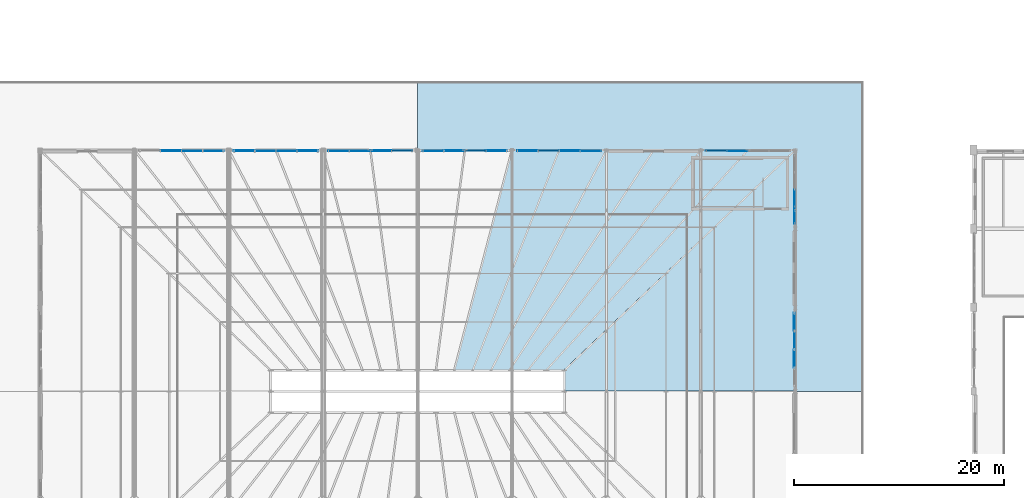
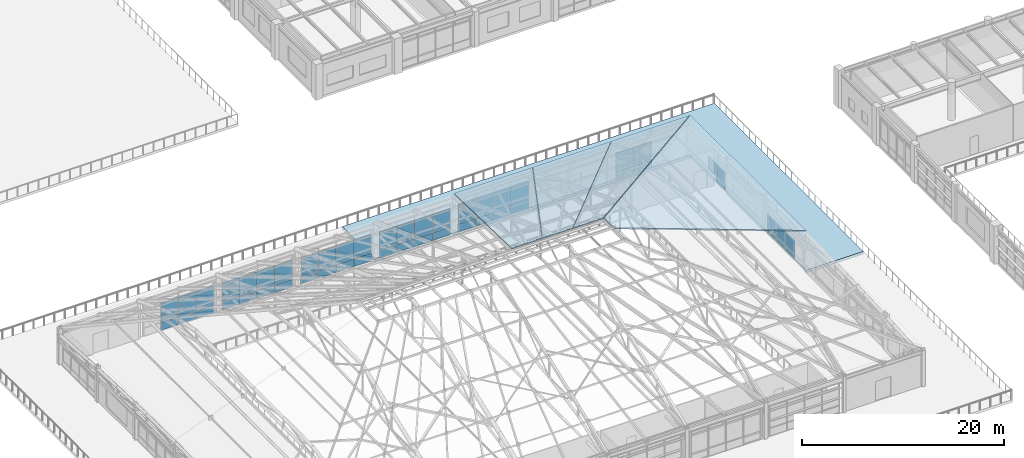
# One storey, part 133 of 168: 51 plates, 5 slabs, 8 elements without a shape of their own.
"""IFC4 building model written with IfcOpenShell, lengths in metres."""

from ifc_helpers import new_model, si_unit, direction, frame, origin, origin_2d, place, context, subcontext, project, spatial, polyline, rectangle, outline, extrude, material, layer, layer_set, type_object, element, aggregate, save


model = new_model("IFC4")

# Units and contexts
model_context = context("Model", 3, precision=1e-05, world=origin(), true_north=direction((0.0, 1.0)))
body_context = subcontext(model_context, "Body", "Model", "MODEL_VIEW")
ifc_project = project(units=[si_unit("LENGTHUNIT", "METRE"), si_unit("AREAUNIT", "SQUARE_METRE"), si_unit("VOLUMEUNIT", "CUBIC_METRE"), si_unit("PLANEANGLEUNIT", "RADIAN"), si_unit("MASSUNIT", "GRAM", prefix="KILO"), si_unit("THERMODYNAMICTEMPERATUREUNIT", "KELVIN"), si_unit("POWERUNIT", "WATT")], contexts=[model_context])

# Site, building, storey
site_placement = place(None, origin())
site = spatial("IfcSite", under=ifc_project, at=site_placement, CompositionType="ELEMENT")
building_placement = place(site_placement, origin())
building = spatial("IfcBuilding", under=site, at=building_placement, Name="Tepalcoro Natatorium and Aquatics Centre", CompositionType="ELEMENT")
storey_placement = place(building_placement, frame((0.0, 0.0, 10.199951171875)))
storey = spatial("IfcBuildingStorey", under=building, at=storey_placement, Name="L02", CompositionType="ELEMENT", Elevation=10.199951171875)

# Curtain wall, plate
ifc_material_1 = material(Name="Bronze-Anodised Extruded Aluminium Alloy EN AW-6063 T6", Category="aluminium")
curtain_wall_type_1 = type_object("IfcCurtainWallType", Name="CW_LEAN_T1_EW", PredefinedType="USERDEFINED", material=ifc_material_1)
curtain_wall_1_placement = place(storey_placement, origin())
curtain_wall_1 = element("IfcCurtainWall", 1, at=curtain_wall_1_placement, inside=storey, type_object=curtain_wall_type_1, Name="V1 L02 N Unitised Curtain Wall Bay 2", ObjectType="FACETED SOLAR GLAZING", PredefinedType="USERDEFINED")
ifc_material_2 = material(Name="Solar-Control Bronze Tempered Low-E Double Glazing", Category="glass")
ifc_layer_1 = layer(ifc_material_2, 0.048095703125)
ifc_layer_set_1 = layer_set([ifc_layer_1], Name="Solar-Control Bronze Tempered Low-E Double Glazing")
plate_type_1 = type_object("IfcPlateType", Name="PL_ACOUSTIC_IGU_48", PredefinedType="CURTAIN_PANEL", material=ifc_layer_set_1)
plate_1_placement = place(storey_placement, frame((65.4951171875, 58.9287109375, 0.9599609375), z_axis=(0.0, 0.0, 1.0), x_axis=(1.0, 0.0, 0.0)))
plate_1 = element("IfcPlate", 2, at=plate_1_placement, type_object=plate_type_1, Name="CW_LEAN_T1_EW Insulated Glazing Unit", PredefinedType="CURTAIN_PANEL", context=body_context, shape_type="SweptSolid", body=[
    extrude(rectangle(XDim=1.989990234375, YDim=0.048095703125, at=origin_2d()), origin(), (0.0, 0.0, 1.0), 2.386962890625),
])

# Curtain wall, plates
curtain_wall_type_2 = type_object("IfcCurtainWallType", Name="CW_LEAN_T2_NS", PredefinedType="USERDEFINED", material=ifc_material_1)
curtain_wall_2_placement = place(storey_placement, origin())
curtain_wall_2 = element("IfcCurtainWall", 3, at=curtain_wall_2_placement, inside=storey, type_object=curtain_wall_type_2, Name="V1 L02 N Unitised Curtain Wall Bay 3", ObjectType="FACETED SOLAR GLAZING", PredefinedType="USERDEFINED")
plate_2_placement = place(storey_placement, frame((72.485107421875, 58.9287109375, 0.9599609375), z_axis=(0.0, 0.0, 1.0), x_axis=(1.0, 0.0, 0.0)))
plate_2 = element("IfcPlate", 4, at=plate_2_placement, type_object=plate_type_1, Name="CW_LEAN_T2_NS Insulated Glazing Unit", PredefinedType="CURTAIN_PANEL", context=body_context, shape_type="SweptSolid", body=[
    extrude(rectangle(XDim=1.989990234375, YDim=0.048095703125, at=origin_2d()), origin(), (0.0, 0.0, 1.0), 2.340087890625),
])
plate_3_placement = place(storey_placement, frame((78.514892578125, 58.9287109375, 0.9599609375), z_axis=(0.0, 0.0, 1.0), x_axis=(1.0, 0.0, 0.0)))
plate_3 = element("IfcPlate", 5, at=plate_3_placement, type_object=plate_type_1, Name="CW_LEAN_T2_NS Insulated Glazing Unit", PredefinedType="CURTAIN_PANEL", context=body_context, shape_type="SweptSolid", body=[
    extrude(rectangle(XDim=1.989990234375, YDim=0.048095703125, at=origin_2d()), origin(), (0.0, 0.0, 1.0), 2.340087890625),
])

# Curtain wall, plate
curtain_wall_type_3 = type_object("IfcCurtainWallType", Name="CW_LEAN_T2_EW", PredefinedType="USERDEFINED", material=ifc_material_1)
curtain_wall_3_placement = place(storey_placement, origin())
curtain_wall_3 = element("IfcCurtainWall", 6, at=curtain_wall_3_placement, inside=storey, type_object=curtain_wall_type_3, Name="V1 L02 N Unitised Curtain Wall Bay 4", ObjectType="FACETED SOLAR GLAZING", PredefinedType="USERDEFINED")
plate_4_placement = place(storey_placement, frame((85.5048828125, 58.919921875, 0.9560546875), z_axis=(0.0, 0.0, 1.0), x_axis=(1.0, 0.0, 0.0)))
plate_4 = element("IfcPlate", 7, at=plate_4_placement, type_object=plate_type_1, Name="CW_LEAN_T2_EW Insulated Glazing Unit", PredefinedType="CURTAIN_PANEL", context=body_context, shape_type="SweptSolid", body=[
    extrude(rectangle(XDim=1.989990234375, YDim=0.048095703125, at=origin_2d()), origin(), (0.0, 0.0, 1.0), 2.26806640625),
])

curtain_wall_type_4 = type_object("IfcCurtainWallType", Name="CW_V1_PLINTH", PredefinedType="USERDEFINED", material=ifc_material_1)
curtain_wall_4_placement = place(storey_placement, origin())
curtain_wall_4 = element("IfcCurtainWall", 8, at=curtain_wall_4_placement, inside=storey, type_object=curtain_wall_type_4, Name="V1 L02 N Unitised Curtain Wall Bay 5", ObjectType="UNITISED STOREFRONT", PredefinedType="USERDEFINED")
plate_5_placement = place(storey_placement, frame((92.4951171875, 58.9287109375, 0.93701171875), z_axis=(0.0, 0.0, 1.0), x_axis=(1.0, 0.0, 0.0)))
plate_5 = element("IfcPlate", 9, at=plate_5_placement, type_object=plate_type_1, Name="CW_V1_PLINTH Insulated Glazing Unit", PredefinedType="CURTAIN_PANEL", context=body_context, shape_type="SweptSolid", body=[
    extrude(rectangle(XDim=1.989990234375, YDim=0.048095703125, at=origin_2d()), origin(), (0.0, 0.0, 1.0), 2.2109375),
])

# Curtain wall, plates
curtain_wall_type_5 = type_object("IfcCurtainWallType", Name="CW_V2_DIVING", PredefinedType="USERDEFINED", material=ifc_material_1)
curtain_wall_5_placement = place(storey_placement, origin())
curtain_wall_5 = element("IfcCurtainWall", 10, at=curtain_wall_5_placement, inside=storey, type_object=curtain_wall_type_5, Name="V1 L02 N Unitised Curtain Wall Bay 6", ObjectType="FACETED SOLAR GLAZING", PredefinedType="USERDEFINED")
plate_6_placement = place(storey_placement, frame((99.485107421875, 58.93505859375, 0.9599609375), z_axis=(0.0, 0.0, 1.0), x_axis=(1.0, 0.0, 0.0)))
plate_6 = element("IfcPlate", 11, at=plate_6_placement, type_object=plate_type_1, Name="CW_V2_DIVING Insulated Glazing Unit", PredefinedType="CURTAIN_PANEL", context=body_context, shape_type="SweptSolid", body=[
    extrude(rectangle(XDim=1.989990234375, YDim=0.048095703125, at=origin_2d()), origin(), (0.0, 0.0, 1.0), 2.386962890625),
])
plate_7_placement = place(storey_placement, frame((105.514892578125, 58.93505859375, 0.9599609375), z_axis=(0.0, 0.0, 1.0), x_axis=(1.0, 0.0, 0.0)))
plate_7 = element("IfcPlate", 12, at=plate_7_placement, type_object=plate_type_1, Name="CW_V2_DIVING Insulated Glazing Unit", PredefinedType="CURTAIN_PANEL", context=body_context, shape_type="SweptSolid", body=[
    extrude(rectangle(XDim=1.989990234375, YDim=0.048095703125, at=origin_2d()), origin(), (0.0, 0.0, 1.0), 2.386962890625),
])

# Curtain wall, plate
curtain_wall_6_placement = place(storey_placement, origin())
curtain_wall_6 = element("IfcCurtainWall", 13, at=curtain_wall_6_placement, inside=storey, type_object=curtain_wall_type_4, Name="V1 L02 E Unitised Curtain Wall Bay 4", ObjectType="UNITISED STOREFRONT", PredefinedType="USERDEFINED")
plate_8_placement = place(storey_placement, frame((124.909912109375, 42.639892578125, 0.68505859375), z_axis=(0.0, 0.0, 1.0), x_axis=(1.0, 0.0, 0.0)))
plate_8 = element("IfcPlate", 14, at=plate_8_placement, type_object=plate_type_1, Name="CW_V1_PLINTH Insulated Glazing Unit", PredefinedType="CURTAIN_PANEL", context=body_context, shape_type="SweptSolid", body=[
    extrude(rectangle(XDim=0.048095703125, YDim=1.739990234375, at=origin_2d()), origin(), (0.0, 0.0, 1.0), 1.572998046875),
])

# Plate
ifc_layer_2 = layer(ifc_material_2, 0.028076171875)
ifc_layer_set_2 = layer_set([ifc_layer_2], Name="Solar-Control Bronze Tempered Low-E Double Glazing")
plate_type_2 = type_object("IfcPlateType", Name="PL_BRONZE_IGU_28", PredefinedType="CURTAIN_PANEL", material=ifc_layer_set_2)
plate_9_placement = place(storey_placement, frame((69.514892578125, 58.9287109375, 0.9599609375), z_axis=(0.0, 0.0, 1.0), x_axis=(1.0, 0.0, 0.0)))
plate_9 = element("IfcPlate", 15, at=plate_9_placement, type_object=plate_type_2, Name="CW_LEAN_T1_EW Insulated Glazing Unit", PredefinedType="CURTAIN_PANEL", context=body_context, shape_type="SweptSolid", body=[
    extrude(rectangle(XDim=1.989990234375, YDim=0.028076171875, at=origin_2d()), origin(), (0.0, 0.0, 1.0), 2.386962890625),
])

plate_10_placement = place(storey_placement, frame((76.5048828125, 58.9287109375, 0.9599609375), z_axis=(0.0, 0.0, 1.0), x_axis=(1.0, 0.0, 0.0)))
plate_10 = element("IfcPlate", 16, at=plate_10_placement, type_object=plate_type_2, Name="CW_LEAN_T2_NS Insulated Glazing Unit", PredefinedType="CURTAIN_PANEL", context=body_context, shape_type="SweptSolid", body=[
    extrude(rectangle(XDim=1.989990234375, YDim=0.028076171875, at=origin_2d()), origin(), (0.0, 0.0, 1.0), 2.340087890625),
])

plate_11_placement = place(storey_placement, frame((83.4951171875, 58.919921875, 0.9560546875), z_axis=(0.0, 0.0, 1.0), x_axis=(1.0, 0.0, 0.0)))
plate_11 = element("IfcPlate", 17, at=plate_11_placement, type_object=plate_type_2, Name="CW_LEAN_T2_EW Insulated Glazing Unit", PredefinedType="CURTAIN_PANEL", context=body_context, shape_type="SweptSolid", body=[
    extrude(rectangle(XDim=1.989990234375, YDim=0.028076171875, at=origin_2d()), origin(), (0.0, 0.0, 1.0), 2.26806640625),
])

plate_12_placement = place(storey_placement, frame((90.485107421875, 58.9287109375, 0.93701171875), z_axis=(0.0, 0.0, 1.0), x_axis=(1.0, 0.0, 0.0)))
plate_12 = element("IfcPlate", 18, at=plate_12_placement, type_object=plate_type_2, Name="CW_V1_PLINTH Insulated Glazing Unit", PredefinedType="CURTAIN_PANEL", context=body_context, shape_type="SweptSolid", body=[
    extrude(rectangle(XDim=1.989990234375, YDim=0.028076171875, at=origin_2d()), origin(), (0.0, 0.0, 1.0), 2.2109375),
])

plate_13_placement = place(storey_placement, frame((96.514892578125, 58.9287109375, 0.93701171875), z_axis=(0.0, 0.0, 1.0), x_axis=(1.0, 0.0, 0.0)))
plate_13 = element("IfcPlate", 19, at=plate_13_placement, type_object=plate_type_2, Name="CW_V1_PLINTH Insulated Glazing Unit", PredefinedType="CURTAIN_PANEL", context=body_context, shape_type="SweptSolid", body=[
    extrude(rectangle(XDim=1.989990234375, YDim=0.028076171875, at=origin_2d()), origin(), (0.0, 0.0, 1.0), 2.2109375),
])

plate_14_placement = place(storey_placement, frame((103.5048828125, 58.93505859375, 0.9599609375), z_axis=(0.0, 0.0, 1.0), x_axis=(1.0, 0.0, 0.0)))
plate_14 = element("IfcPlate", 20, at=plate_14_placement, type_object=plate_type_2, Name="CW_V2_DIVING Insulated Glazing Unit", PredefinedType="CURTAIN_PANEL", context=body_context, shape_type="SweptSolid", body=[
    extrude(rectangle(XDim=1.989990234375, YDim=0.028076171875, at=origin_2d()), origin(), (0.0, 0.0, 1.0), 2.386962890625),
])

# Curtain wall, plate
curtain_wall_type_6 = type_object("IfcCurtainWallType", Name="CW_V4_VILLAGE", PredefinedType="USERDEFINED", material=ifc_material_1)
curtain_wall_7_placement = place(storey_placement, origin())
curtain_wall_7 = element("IfcCurtainWall", 21, at=curtain_wall_7_placement, inside=storey, type_object=curtain_wall_type_6, Name="V1 L02 N Unitised Curtain Wall Bay 8", ObjectType="UNITISED STOREFRONT", PredefinedType="USERDEFINED")
plate_15_placement = place(storey_placement, frame((119.4951171875, 58.923828125, 0.9560546875), z_axis=(0.0, 0.0, 1.0), x_axis=(1.0, 0.0, 0.0)))
plate_15 = element("IfcPlate", 22, at=plate_15_placement, type_object=plate_type_2, Name="CW_V4_VILLAGE Insulated Glazing Unit", PredefinedType="CURTAIN_PANEL", context=body_context, shape_type="SweptSolid", body=[
    extrude(rectangle(XDim=1.989990234375, YDim=0.028076171875, at=origin_2d()), origin(), (0.0, 0.0, 1.0), 2.26806640625),
])

# Plate
plate_16_placement = place(storey_placement, frame((124.909912109375, 40.8798828125, 0.68505859375), z_axis=(0.0, 0.0, 1.0), x_axis=(1.0, 0.0, 0.0)))
plate_16 = element("IfcPlate", 23, at=plate_16_placement, type_object=plate_type_2, Name="CW_V1_PLINTH Insulated Glazing Unit", PredefinedType="CURTAIN_PANEL", context=body_context, shape_type="SweptSolid", body=[
    extrude(rectangle(XDim=0.028076171875, YDim=1.739990234375, at=origin_2d()), origin(), (0.0, 0.0, 1.0), 1.572998046875),
])

# Curtain wall, plate
curtain_wall_type_7 = type_object("IfcCurtainWallType", Name="CW_V3_FOYER", PredefinedType="USERDEFINED", material=ifc_material_1)
curtain_wall_8_placement = place(storey_placement, origin())
curtain_wall_8 = element("IfcCurtainWall", 24, at=curtain_wall_8_placement, inside=storey, type_object=curtain_wall_type_7, Name="V1 L02 E Unitised Curtain Wall Bay 6", ObjectType="UNITISED STOREFRONT", PredefinedType="USERDEFINED")
plate_17_placement = place(storey_placement, frame((124.9287109375, 54.4326171875, 0.654541015625), z_axis=(0.0, 0.0, 1.0), x_axis=(1.0, 0.0, 0.0)))
plate_17 = element("IfcPlate", 25, at=plate_17_placement, type_object=plate_type_2, Name="CW_V3_FOYER Insulated Glazing Unit", PredefinedType="CURTAIN_PANEL", context=body_context, shape_type="SweptSolid", body=[
    extrude(rectangle(XDim=0.028076171875, YDim=1.614990234375, at=origin_2d()), origin(), (0.0, 0.0, 1.0), 1.5009765625),
])

# Plate
ifc_material_3 = material(Name="Jalisco Cantera Rosa Volcanic Tuff Ashlar Masonry", Category="masonry")
ifc_layer_3 = layer(ifc_material_3, 0.090087890625)
ifc_layer_set_3 = layer_set([ifc_layer_3], Name="Jalisco Cantera Rosa Volcanic Tuff Ashlar Masonry")
plate_type_3 = type_object("IfcPlateType", Name="PL_CANTERA_90", PredefinedType="SHEET", material=ifc_layer_set_3)
plate_18_placement = place(storey_placement, frame((78.514892578125, 58.9287109375, 0.044921875), z_axis=(0.0, 0.0, 1.0), x_axis=(1.0, 0.0, 0.0)))
plate_18 = element("IfcPlate", 26, at=plate_18_placement, type_object=plate_type_3, Name="CW_LEAN_T2_NS Spandrel & Screen Panel", PredefinedType="SHEET", context=body_context, shape_type="SweptSolid", body=[
    extrude(rectangle(XDim=1.989990234375, YDim=0.090087890625, at=origin_2d()), origin(), (0.0, 0.0, 1.0), 0.909912109375),
])

plate_19_placement = place(storey_placement, frame((85.5048828125, 58.919921875, 0.044921875), z_axis=(0.0, 0.0, 1.0), x_axis=(1.0, 0.0, 0.0)))
plate_19 = element("IfcPlate", 27, at=plate_19_placement, type_object=plate_type_3, Name="CW_LEAN_T2_EW Spandrel & Screen Panel", PredefinedType="SHEET", context=body_context, shape_type="SweptSolid", body=[
    extrude(rectangle(XDim=1.989990234375, YDim=0.090087890625, at=origin_2d()), origin(), (0.0, 0.0, 1.0), 0.906005859375),
])

plate_20_placement = place(storey_placement, frame((92.4951171875, 58.9287109375, 0.044921875), z_axis=(0.0, 0.0, 1.0), x_axis=(1.0, 0.0, 0.0)))
plate_20 = element("IfcPlate", 28, at=plate_20_placement, type_object=plate_type_3, Name="CW_V1_PLINTH Spandrel & Screen Panel", PredefinedType="SHEET", context=body_context, shape_type="SweptSolid", body=[
    extrude(rectangle(XDim=1.989990234375, YDim=0.090087890625, at=origin_2d()), origin(), (0.0, 0.0, 1.0), 0.886962890625),
])

plate_21_placement = place(storey_placement, frame((99.485107421875, 58.93505859375, 0.044921875), z_axis=(0.0, 0.0, 1.0), x_axis=(1.0, 0.0, 0.0)))
plate_21 = element("IfcPlate", 29, at=plate_21_placement, type_object=plate_type_3, Name="CW_V2_DIVING Spandrel & Screen Panel", PredefinedType="SHEET", context=body_context, shape_type="SweptSolid", body=[
    extrude(rectangle(XDim=1.989990234375, YDim=0.090087890625, at=origin_2d()), origin(), (0.0, 0.0, 1.0), 0.909912109375),
])

ifc_material_4 = material(Name="Clear Tempered Low-E Safety Glazing", Category="glass")
ifc_layer_4 = layer(ifc_material_4, 0.011962890625)
ifc_layer_set_4 = layer_set([ifc_layer_4], Name="Clear Tempered Low-E Safety Glazing")
plate_type_4 = type_object("IfcPlateType", Name="PL_GLASS_12", PredefinedType="CURTAIN_PANEL", material=ifc_layer_set_4)
plate_22_placement = place(storey_placement, frame((67.5048828125, 58.9287109375, 0.9599609375), z_axis=(0.0, 0.0, 1.0), x_axis=(1.0, 0.0, 0.0)))
plate_22 = element("IfcPlate", 30, at=plate_22_placement, type_object=plate_type_4, Name="CW_LEAN_T1_EW Insulated Glazing Unit", PredefinedType="CURTAIN_PANEL", context=body_context, shape_type="SweptSolid", body=[
    extrude(rectangle(XDim=1.989990234375, YDim=0.011962890625, at=origin_2d()), origin(), (0.0, 0.0, 1.0), 2.386962890625),
])

plate_23_placement = place(storey_placement, frame((74.4951171875, 58.9287109375, 0.9599609375), z_axis=(0.0, 0.0, 1.0), x_axis=(1.0, 0.0, 0.0)))
plate_23 = element("IfcPlate", 31, at=plate_23_placement, type_object=plate_type_4, Name="CW_LEAN_T2_NS Insulated Glazing Unit", PredefinedType="CURTAIN_PANEL", context=body_context, shape_type="SweptSolid", body=[
    extrude(rectangle(XDim=1.989990234375, YDim=0.011962890625, at=origin_2d()), origin(), (0.0, 0.0, 1.0), 2.340087890625),
])

plate_24_placement = place(storey_placement, frame((81.485107421875, 58.919921875, 0.9560546875), z_axis=(0.0, 0.0, 1.0), x_axis=(1.0, 0.0, 0.0)))
plate_24 = element("IfcPlate", 32, at=plate_24_placement, type_object=plate_type_4, Name="CW_LEAN_T2_EW Insulated Glazing Unit", PredefinedType="CURTAIN_PANEL", context=body_context, shape_type="SweptSolid", body=[
    extrude(rectangle(XDim=1.989990234375, YDim=0.011962890625, at=origin_2d()), origin(), (0.0, 0.0, 1.0), 2.26806640625),
])

plate_25_placement = place(storey_placement, frame((87.514892578125, 58.919921875, 0.9560546875), z_axis=(0.0, 0.0, 1.0), x_axis=(1.0, 0.0, 0.0)))
plate_25 = element("IfcPlate", 33, at=plate_25_placement, type_object=plate_type_4, Name="CW_LEAN_T2_EW Insulated Glazing Unit", PredefinedType="CURTAIN_PANEL", context=body_context, shape_type="SweptSolid", body=[
    extrude(rectangle(XDim=1.989990234375, YDim=0.011962890625, at=origin_2d()), origin(), (0.0, 0.0, 1.0), 2.26806640625),
])

plate_26_placement = place(storey_placement, frame((94.5048828125, 58.9287109375, 0.93701171875), z_axis=(0.0, 0.0, 1.0), x_axis=(1.0, 0.0, 0.0)))
plate_26 = element("IfcPlate", 34, at=plate_26_placement, type_object=plate_type_4, Name="CW_V1_PLINTH Insulated Glazing Unit", PredefinedType="CURTAIN_PANEL", context=body_context, shape_type="SweptSolid", body=[
    extrude(rectangle(XDim=1.989990234375, YDim=0.011962890625, at=origin_2d()), origin(), (0.0, 0.0, 1.0), 2.2109375),
])

plate_27_placement = place(storey_placement, frame((101.4951171875, 58.93505859375, 0.9599609375), z_axis=(0.0, 0.0, 1.0), x_axis=(1.0, 0.0, 0.0)))
plate_27 = element("IfcPlate", 35, at=plate_27_placement, type_object=plate_type_4, Name="CW_V2_DIVING Insulated Glazing Unit", PredefinedType="CURTAIN_PANEL", context=body_context, shape_type="SweptSolid", body=[
    extrude(rectangle(XDim=1.989990234375, YDim=0.011962890625, at=origin_2d()), origin(), (0.0, 0.0, 1.0), 2.386962890625),
])

plate_28_placement = place(storey_placement, frame((117.485107421875, 58.923828125, 0.9560546875), z_axis=(0.0, 0.0, 1.0), x_axis=(1.0, 0.0, 0.0)))
plate_28 = element("IfcPlate", 36, at=plate_28_placement, type_object=plate_type_4, Name="CW_V4_VILLAGE Insulated Glazing Unit", PredefinedType="CURTAIN_PANEL", context=body_context, shape_type="SweptSolid", body=[
    extrude(rectangle(XDim=1.989990234375, YDim=0.011962890625, at=origin_2d()), origin(), (0.0, 0.0, 1.0), 2.26806640625),
])

plate_29_placement = place(storey_placement, frame((124.909912109375, 39.1201171875, 0.68505859375), z_axis=(0.0, 0.0, 1.0), x_axis=(1.0, 0.0, 0.0)))
plate_29 = element("IfcPlate", 37, at=plate_29_placement, type_object=plate_type_4, Name="CW_V1_PLINTH Insulated Glazing Unit", PredefinedType="CURTAIN_PANEL", context=body_context, shape_type="SweptSolid", body=[
    extrude(rectangle(XDim=0.011962890625, YDim=1.739990234375, at=origin_2d()), origin(), (0.0, 0.0, 1.0), 1.572998046875),
])

plate_30_placement = place(storey_placement, frame((124.9287109375, 52.797607421875, 0.654541015625), z_axis=(0.0, 0.0, 1.0), x_axis=(1.0, 0.0, 0.0)))
plate_30 = element("IfcPlate", 38, at=plate_30_placement, type_object=plate_type_4, Name="CW_V3_FOYER Insulated Glazing Unit", PredefinedType="CURTAIN_PANEL", context=body_context, shape_type="SweptSolid", body=[
    extrude(rectangle(XDim=0.011962890625, YDim=1.614990234375, at=origin_2d()), origin(), (0.0, 0.0, 1.0), 1.5009765625),
])

ifc_material_5 = material(Name="Volcanic Recinto Basalt Ashlar Masonry", Category="masonry")
ifc_layer_5 = layer(ifc_material_5, 0.110107421875)
ifc_layer_set_5 = layer_set([ifc_layer_5], Name="Volcanic Recinto Basalt Ashlar Masonry")
plate_type_5 = type_object("IfcPlateType", Name="PL_RECINTO_110", PredefinedType="SHEET", material=ifc_layer_set_5)
plate_31_placement = place(storey_placement, frame((87.514892578125, 58.919921875, 0.044921875), z_axis=(0.0, 0.0, 1.0), x_axis=(1.0, 0.0, 0.0)))
plate_31 = element("IfcPlate", 39, at=plate_31_placement, type_object=plate_type_5, Name="CW_LEAN_T2_EW Spandrel & Screen Panel", PredefinedType="SHEET", context=body_context, shape_type="SweptSolid", body=[
    extrude(rectangle(XDim=1.989990234375, YDim=0.110107421875, at=origin_2d()), origin(), (0.0, 0.0, 1.0), 0.906005859375),
])

plate_32_placement = place(storey_placement, frame((94.5048828125, 58.9287109375, 0.044921875), z_axis=(0.0, 0.0, 1.0), x_axis=(1.0, 0.0, 0.0)))
plate_32 = element("IfcPlate", 40, at=plate_32_placement, type_object=plate_type_5, Name="CW_V1_PLINTH Spandrel & Screen Panel", PredefinedType="SHEET", context=body_context, shape_type="SweptSolid", body=[
    extrude(rectangle(XDim=1.989990234375, YDim=0.110107421875, at=origin_2d()), origin(), (0.0, 0.0, 1.0), 0.886962890625),
])

plate_33_placement = place(storey_placement, frame((101.4951171875, 58.93505859375, 0.044921875), z_axis=(0.0, 0.0, 1.0), x_axis=(1.0, 0.0, 0.0)))
plate_33 = element("IfcPlate", 41, at=plate_33_placement, type_object=plate_type_5, Name="CW_V2_DIVING Spandrel & Screen Panel", PredefinedType="SHEET", context=body_context, shape_type="SweptSolid", body=[
    extrude(rectangle(XDim=1.989990234375, YDim=0.110107421875, at=origin_2d()), origin(), (0.0, 0.0, 1.0), 0.909912109375),
])

plate_34_placement = place(storey_placement, frame((117.485107421875, 58.923828125, 0.044921875), z_axis=(0.0, 0.0, 1.0), x_axis=(1.0, 0.0, 0.0)))
plate_34 = element("IfcPlate", 42, at=plate_34_placement, type_object=plate_type_5, Name="CW_V4_VILLAGE Spandrel & Screen Panel", PredefinedType="SHEET", context=body_context, shape_type="SweptSolid", body=[
    extrude(rectangle(XDim=1.989990234375, YDim=0.110107421875, at=origin_2d()), origin(), (0.0, 0.0, 1.0), 0.906005859375),
])

ifc_layer_6 = layer(ifc_material_1, 0.050048828125)
ifc_layer_set_6 = layer_set([ifc_layer_6], Name="Bronze-Anodised Extruded Aluminium Alloy EN AW-6063 T6")
plate_type_6 = type_object("IfcPlateType", Name="PL_SCREEN_50", PredefinedType="SHEET", material=ifc_layer_set_6)
plate_35_placement = place(storey_placement, frame((67.5048828125, 58.9287109375, 0.044921875), z_axis=(0.0, 0.0, 1.0), x_axis=(1.0, 0.0, 0.0)))
plate_35 = element("IfcPlate", 43, at=plate_35_placement, type_object=plate_type_6, Name="CW_LEAN_T1_EW Spandrel & Screen Panel", PredefinedType="SHEET", context=body_context, shape_type="SweptSolid", body=[
    extrude(rectangle(XDim=1.989990234375, YDim=0.050048828125, at=origin_2d()), origin(), (0.0, 0.0, 1.0), 0.909912109375),
])

plate_36_placement = place(storey_placement, frame((74.4951171875, 58.9287109375, 0.044921875), z_axis=(0.0, 0.0, 1.0), x_axis=(1.0, 0.0, 0.0)))
plate_36 = element("IfcPlate", 44, at=plate_36_placement, type_object=plate_type_6, Name="CW_LEAN_T2_NS Spandrel & Screen Panel", PredefinedType="SHEET", context=body_context, shape_type="SweptSolid", body=[
    extrude(rectangle(XDim=1.989990234375, YDim=0.050048828125, at=origin_2d()), origin(), (0.0, 0.0, 1.0), 0.909912109375),
])

plate_37_placement = place(storey_placement, frame((81.485107421875, 58.919921875, 0.044921875), z_axis=(0.0, 0.0, 1.0), x_axis=(1.0, 0.0, 0.0)))
plate_37 = element("IfcPlate", 45, at=plate_37_placement, type_object=plate_type_6, Name="CW_LEAN_T2_EW Spandrel & Screen Panel", PredefinedType="SHEET", context=body_context, shape_type="SweptSolid", body=[
    extrude(rectangle(XDim=1.989990234375, YDim=0.050048828125, at=origin_2d()), origin(), (0.0, 0.0, 1.0), 0.906005859375),
])

plate_38_placement = place(storey_placement, frame((105.514892578125, 58.93505859375, 0.044921875), z_axis=(0.0, 0.0, 1.0), x_axis=(1.0, 0.0, 0.0)))
plate_38 = element("IfcPlate", 46, at=plate_38_placement, type_object=plate_type_6, Name="CW_V2_DIVING Spandrel & Screen Panel", PredefinedType="SHEET", context=body_context, shape_type="SweptSolid", body=[
    extrude(rectangle(XDim=1.989990234375, YDim=0.050048828125, at=origin_2d()), origin(), (0.0, 0.0, 1.0), 0.909912109375),
])

plate_39_placement = place(storey_placement, frame((124.909912109375, 40.8798828125, 0.044921875), z_axis=(0.0, 0.0, 1.0), x_axis=(1.0, 0.0, 0.0)))
plate_39 = element("IfcPlate", 47, at=plate_39_placement, type_object=plate_type_6, Name="CW_V1_PLINTH Spandrel & Screen Panel", PredefinedType="SHEET", context=body_context, shape_type="SweptSolid", body=[
    extrude(rectangle(XDim=0.050048828125, YDim=1.739990234375, at=origin_2d()), origin(), (0.0, 0.0, 1.0), 0.635009765625),
])

ifc_layer_7 = layer(ifc_material_1, 0.06005859375)
ifc_layer_set_7 = layer_set([ifc_layer_7], Name="Bronze-Anodised Extruded Aluminium Alloy EN AW-6063 T6")
plate_type_7 = type_object("IfcPlateType", Name="PL_SCREEN_60", PredefinedType="SHEET", material=ifc_layer_set_7)
plate_40_placement = place(storey_placement, frame((69.514892578125, 58.9287109375, 0.044921875), z_axis=(0.0, 0.0, 1.0), x_axis=(1.0, 0.0, 0.0)))
plate_40 = element("IfcPlate", 48, at=plate_40_placement, type_object=plate_type_7, Name="CW_LEAN_T1_EW Spandrel & Screen Panel", PredefinedType="SHEET", context=body_context, shape_type="SweptSolid", body=[
    extrude(rectangle(XDim=1.989990234375, YDim=0.06005859375, at=origin_2d()), origin(), (0.0, 0.0, 1.0), 0.909912109375),
])

plate_41_placement = place(storey_placement, frame((76.5048828125, 58.9287109375, 0.044921875), z_axis=(0.0, 0.0, 1.0), x_axis=(1.0, 0.0, 0.0)))
plate_41 = element("IfcPlate", 49, at=plate_41_placement, type_object=plate_type_7, Name="CW_LEAN_T2_NS Spandrel & Screen Panel", PredefinedType="SHEET", context=body_context, shape_type="SweptSolid", body=[
    extrude(rectangle(XDim=1.989990234375, YDim=0.06005859375, at=origin_2d()), origin(), (0.0, 0.0, 1.0), 0.909912109375),
])

plate_42_placement = place(storey_placement, frame((83.4951171875, 58.919921875, 0.044921875), z_axis=(0.0, 0.0, 1.0), x_axis=(1.0, 0.0, 0.0)))
plate_42 = element("IfcPlate", 50, at=plate_42_placement, type_object=plate_type_7, Name="CW_LEAN_T2_EW Spandrel & Screen Panel", PredefinedType="SHEET", context=body_context, shape_type="SweptSolid", body=[
    extrude(rectangle(XDim=1.989990234375, YDim=0.06005859375, at=origin_2d()), origin(), (0.0, 0.0, 1.0), 0.906005859375),
])

aggregate(curtain_wall_3, [plate_24, plate_37, plate_11, plate_42, plate_4, plate_19, plate_25, plate_31])

plate_43_placement = place(storey_placement, frame((90.485107421875, 58.9287109375, 0.044921875), z_axis=(0.0, 0.0, 1.0), x_axis=(1.0, 0.0, 0.0)))
plate_43 = element("IfcPlate", 51, at=plate_43_placement, type_object=plate_type_7, Name="CW_V1_PLINTH Spandrel & Screen Panel", PredefinedType="SHEET", context=body_context, shape_type="SweptSolid", body=[
    extrude(rectangle(XDim=1.989990234375, YDim=0.06005859375, at=origin_2d()), origin(), (0.0, 0.0, 1.0), 0.886962890625),
])

plate_44_placement = place(storey_placement, frame((124.909912109375, 42.639892578125, 0.044921875), z_axis=(0.0, 0.0, 1.0), x_axis=(1.0, 0.0, 0.0)))
plate_44 = element("IfcPlate", 52, at=plate_44_placement, type_object=plate_type_7, Name="CW_V1_PLINTH Spandrel & Screen Panel", PredefinedType="SHEET", context=body_context, shape_type="SweptSolid", body=[
    extrude(rectangle(XDim=0.06005859375, YDim=1.739990234375, at=origin_2d()), origin(), (0.0, 0.0, 1.0), 0.635009765625),
])

ifc_material_6 = material(Name="Insulated Bronze Anodised Aluminium Spandrel Panel", Category="aluminium")
ifc_layer_8 = layer(ifc_material_6, 0.070068359375)
ifc_layer_set_8 = layer_set([ifc_layer_8], Name="Insulated Bronze Anodised Aluminium Spandrel Panel")
plate_type_8 = type_object("IfcPlateType", Name="PL_SPANDREL_70", PredefinedType="CURTAIN_PANEL", material=ifc_layer_set_8)
plate_45_placement = place(storey_placement, frame((65.4951171875, 58.9287109375, 0.044921875), z_axis=(0.0, 0.0, 1.0), x_axis=(1.0, 0.0, 0.0)))
plate_45 = element("IfcPlate", 53, at=plate_45_placement, type_object=plate_type_8, Name="CW_LEAN_T1_EW Spandrel & Screen Panel", PredefinedType="CURTAIN_PANEL", context=body_context, shape_type="SweptSolid", body=[
    extrude(rectangle(XDim=1.989990234375, YDim=0.070068359375, at=origin_2d()), origin(), (0.0, 0.0, 1.0), 0.909912109375),
])

aggregate(curtain_wall_1, [plate_1, plate_45, plate_22, plate_35, plate_9, plate_40])

plate_46_placement = place(storey_placement, frame((72.485107421875, 58.9287109375, 0.044921875), z_axis=(0.0, 0.0, 1.0), x_axis=(1.0, 0.0, 0.0)))
plate_46 = element("IfcPlate", 54, at=plate_46_placement, type_object=plate_type_8, Name="CW_LEAN_T2_NS Spandrel & Screen Panel", PredefinedType="CURTAIN_PANEL", context=body_context, shape_type="SweptSolid", body=[
    extrude(rectangle(XDim=1.989990234375, YDim=0.070068359375, at=origin_2d()), origin(), (0.0, 0.0, 1.0), 0.909912109375),
])

aggregate(curtain_wall_2, [plate_2, plate_46, plate_23, plate_36, plate_10, plate_41, plate_3, plate_18])

plate_47_placement = place(storey_placement, frame((96.514892578125, 58.9287109375, 0.044921875), z_axis=(0.0, 0.0, 1.0), x_axis=(1.0, 0.0, 0.0)))
plate_47 = element("IfcPlate", 55, at=plate_47_placement, type_object=plate_type_8, Name="CW_V1_PLINTH Spandrel & Screen Panel", PredefinedType="CURTAIN_PANEL", context=body_context, shape_type="SweptSolid", body=[
    extrude(rectangle(XDim=1.989990234375, YDim=0.070068359375, at=origin_2d()), origin(), (0.0, 0.0, 1.0), 0.886962890625),
])

aggregate(curtain_wall_4, [plate_12, plate_43, plate_5, plate_20, plate_26, plate_32, plate_13, plate_47])

plate_48_placement = place(storey_placement, frame((103.5048828125, 58.93505859375, 0.044921875), z_axis=(0.0, 0.0, 1.0), x_axis=(1.0, 0.0, 0.0)))
plate_48 = element("IfcPlate", 56, at=plate_48_placement, type_object=plate_type_8, Name="CW_V2_DIVING Spandrel & Screen Panel", PredefinedType="CURTAIN_PANEL", context=body_context, shape_type="SweptSolid", body=[
    extrude(rectangle(XDim=1.989990234375, YDim=0.070068359375, at=origin_2d()), origin(), (0.0, 0.0, 1.0), 0.909912109375),
])

aggregate(curtain_wall_5, [plate_6, plate_21, plate_27, plate_33, plate_14, plate_48, plate_7, plate_38])

plate_49_placement = place(storey_placement, frame((119.4951171875, 58.923828125, 0.044921875), z_axis=(0.0, 0.0, 1.0), x_axis=(1.0, 0.0, 0.0)))
plate_49 = element("IfcPlate", 57, at=plate_49_placement, type_object=plate_type_8, Name="CW_V4_VILLAGE Spandrel & Screen Panel", PredefinedType="CURTAIN_PANEL", context=body_context, shape_type="SweptSolid", body=[
    extrude(rectangle(XDim=1.989990234375, YDim=0.070068359375, at=origin_2d()), origin(), (0.0, 0.0, 1.0), 0.906005859375),
])

aggregate(curtain_wall_7, [plate_28, plate_34, plate_15, plate_49])

plate_50_placement = place(storey_placement, frame((124.909912109375, 39.1201171875, 0.044921875), z_axis=(0.0, 0.0, 1.0), x_axis=(1.0, 0.0, 0.0)))
plate_50 = element("IfcPlate", 58, at=plate_50_placement, type_object=plate_type_8, Name="CW_V1_PLINTH Spandrel & Screen Panel", PredefinedType="CURTAIN_PANEL", context=body_context, shape_type="SweptSolid", body=[
    extrude(rectangle(XDim=0.070068359375, YDim=1.739990234375, at=origin_2d()), origin(), (0.0, 0.0, 1.0), 0.635009765625),
])

aggregate(curtain_wall_6, [plate_29, plate_50, plate_16, plate_39, plate_8, plate_44])

plate_51_placement = place(storey_placement, frame((124.9287109375, 52.797607421875, 0.045166015625), z_axis=(0.0, 0.0, 1.0), x_axis=(1.0, 0.0, 0.0)))
plate_51 = element("IfcPlate", 59, at=plate_51_placement, type_object=plate_type_8, Name="CW_V3_FOYER Spandrel & Screen Panel", PredefinedType="CURTAIN_PANEL", context=body_context, shape_type="SweptSolid", body=[
    extrude(rectangle(XDim=0.070068359375, YDim=1.614990234375, at=origin_2d()), origin(), (0.0, 0.0, 1.0), 0.6044921875),
])

aggregate(curtain_wall_8, [plate_30, plate_51, plate_17])

# Slabs
ifc_material_7 = material(Name="Tempered Solar-Control Pyramid Skylight Glazing", Category="glass")
ifc_layer_9 = layer(ifc_material_7, 0.1201171875)
ifc_layer_set_9 = layer_set([ifc_layer_9], Name="Tempered Solar-Control Pyramid Skylight Glazing")
slab_type_1 = type_object("IfcSlabType", Name="SL_SKYLIGHT_120", PredefinedType="USERDEFINED", material=ifc_layer_set_9)
slab_1_placement = place(storey_placement, frame((106.991943359375, 59.0, 4.800048828125), z_axis=(0.0, 0.356769424499, 0.934192473606), x_axis=(-1.0, 0.0, 0.0)))
element("IfcSlab", 60, at=slab_1_placement, inside=storey, type_object=slab_type_1, Name="Pyramid Crown North Skylight Facet Bay 6", ObjectType="SKYLIGHT DECK", PredefinedType="USERDEFINED", context=body_context, shape_type="SweptSolid", body=[
    extrude(outline(polyline([(0.0, 0.0), (8.98388671875, 0.0), (14.48388671875, 22.436448087181773), (11.0, 22.436448087181773), (0.0, 0.0)])), origin(), (0.0, 0.0, -1.0), 0.1201171875),
])
slab_2_placement = place(storey_placement, frame((115.991943359375, 59.0, 4.800048828125), z_axis=(0.0, 0.356769424499, 0.934192473606), x_axis=(-1.0, 0.0, 0.0)))
element("IfcSlab", 61, at=slab_2_placement, inside=storey, type_object=slab_type_1, Name="Pyramid Crown North Skylight Facet Bay 7", ObjectType="SKYLIGHT DECK", PredefinedType="USERDEFINED", context=body_context, shape_type="SweptSolid", body=[
    extrude(outline(polyline([(0.0, 0.0), (8.98388671875, 0.0), (19.98388671875, 22.436448087181773), (16.5, 22.436448087181773), (0.0, 0.0)])), origin(), (0.0, 0.0, -1.0), 0.1201171875),
])
slab_3_placement = place(storey_placement, frame((124.955078125, 59.0, 4.800048828125), z_axis=(0.0, 0.356769424499, 0.934192473606), x_axis=(-1.0, 0.0, 0.0)))
element("IfcSlab", 62, at=slab_3_placement, inside=storey, type_object=slab_type_1, Name="Pyramid Crown North Skylight Facet Bay 8", ObjectType="SKYLIGHT DECK", PredefinedType="USERDEFINED", context=body_context, shape_type="SweptSolid", body=[
    extrude(outline(polyline([(0.0, 0.0), (8.947021484375, 0.0), (25.447021484375, 22.436448087181773), (22.0, 22.436448087181773), (0.0, 0.0)])), origin(), (0.0, 0.0, -1.0), 0.1201171875),
])
ifc_layer_10 = layer(ifc_material_7, 0.139892578125)
ifc_layer_set_10 = layer_set([ifc_layer_10], Name="Tempered Solar-Control Pyramid Skylight Glazing")
slab_type_2 = type_object("IfcSlabType", Name="SL_SKYLIGHT_140", PredefinedType="USERDEFINED", material=ifc_layer_set_10)
slab_4_placement = place(storey_placement, frame((125.0, 58.955078125, 4.800048828125), z_axis=(0.342498753133, 0.0, 0.939518283006), x_axis=(-0.699447116359, -0.667651237304, 0.254981483138)))
element("IfcSlab", 63, at=slab_4_placement, inside=storey, type_object=slab_type_2, Name="Pyramid Crown Hip Skylight Facet EN", ObjectType="SKYLIGHT DECK", PredefinedType="USERDEFINED", context=body_context, shape_type="SweptSolid", body=[
    extrude(outline(polyline([(0.0, 0.0), (31.389189563436886, 1.3322676295501878e-15), (32.71324498351033, 1.4764071964698409), (15.316043264355573, 17.078376142052882), (0.0, 0.0)])), origin(), (0.0, 0.0, -1.0), 0.139892578125),
])
ifc_material_8 = material(Name="Concrete C35/45 (fc 35 MPa)", Category="concrete")
ifc_layer_11 = layer(ifc_material_8, 0.320068359375)
ifc_layer_set_11 = layer_set([ifc_layer_11], Name="Concrete C35/45 (fc 35 MPa)")
slab_type_3 = type_object("IfcSlabType", Name="SL_TERRACE_320", PredefinedType="FLOOR", material=ifc_layer_set_11)
slab_5_placement = place(storey_placement, frame((0.0, 0.0, -0.320068359375)))
element("IfcSlab", 64, at=slab_5_placement, inside=storey, type_object=slab_type_3, Name="V1 L02 Planted Terrace Walkway NE", PredefinedType="FLOOR", context=body_context, shape_type="SweptSolid", body=[
    extrude(outline(polyline([(131.5, 65.5), (131.5, 36.0), (125.0, 36.0), (125.0, 59.0), (89.0, 59.0), (89.0, 65.5), (131.5, 65.5)])), origin(), (0.0, 0.0, 1.0), 0.320068359375),
])

save(model, "model.ifc")
